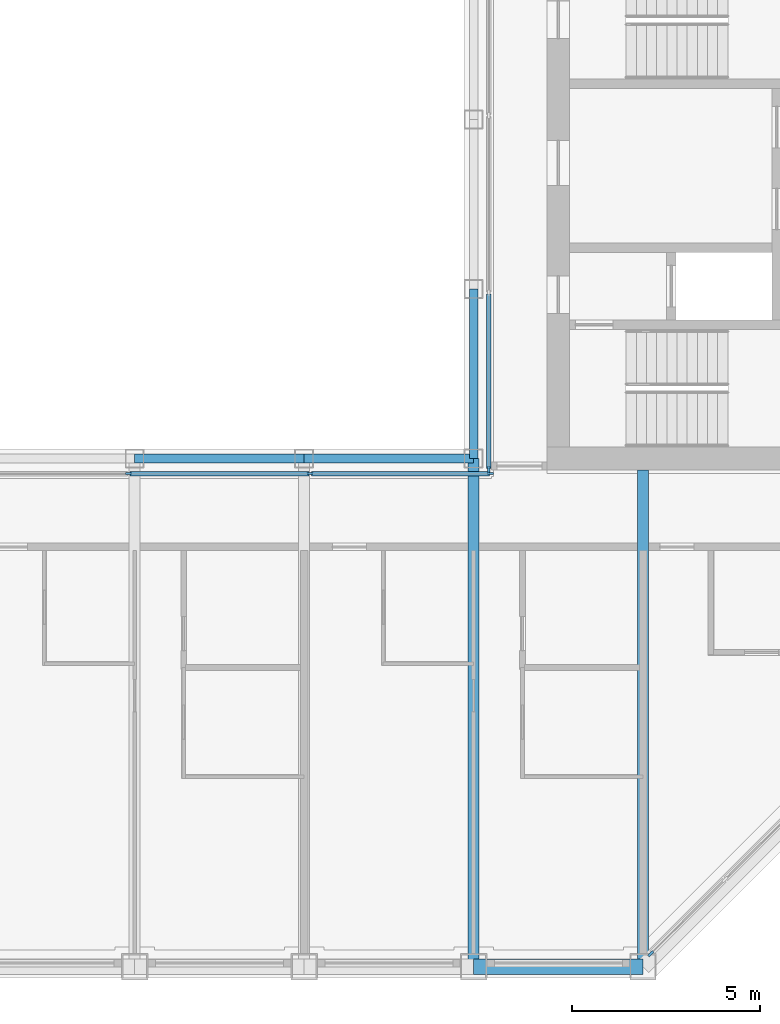
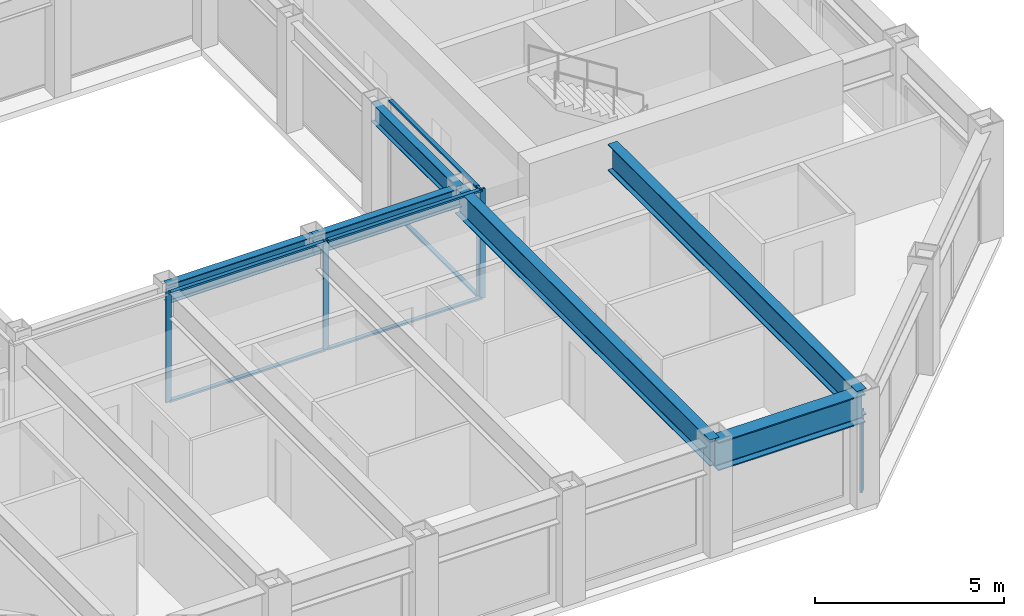
# One storey, part 3 of 18: 11 members, 6 beams, 3 elements without a shape of their own.
"""IFC4 building model written with IfcOpenShell, lengths in metres."""

from ifc_helpers import new_model, si_unit, direction, frame, origin, origin_2d, place, context, subcontext, project, spatial, rectangle, i_section, extrude, material, material_profile, profile_set, type_object, element, aggregate, save


model = new_model("IFC4")

# Units and contexts
model_context = context("Model", 3, precision=1e-05, world=origin(), true_north=direction((0.0, 1.0)))
body_context = subcontext(model_context, "Body", "Model", "MODEL_VIEW")
ifc_project = project(units=[si_unit("LENGTHUNIT", "METRE"), si_unit("AREAUNIT", "SQUARE_METRE"), si_unit("VOLUMEUNIT", "CUBIC_METRE"), si_unit("PLANEANGLEUNIT", "RADIAN"), si_unit("MASSUNIT", "GRAM", prefix="KILO")], contexts=[model_context])

# Site, building, storey
site_placement = place(None, origin())
site = spatial("IfcSite", under=ifc_project, at=site_placement, CompositionType="ELEMENT")
building_placement = place(site_placement, origin())
building = spatial("IfcBuilding", under=site, at=building_placement, Name="Msasa Ring Tower", CompositionType="ELEMENT")
storey_placement = place(building_placement, frame((0.0, 0.0, 249.550048828125)))
storey = spatial("IfcBuildingStorey", under=building, at=storey_placement, Name="L65", CompositionType="ELEMENT", Elevation=249.550048828125)

# Curtain wall, member
ifc_material_1 = material(Name="Aluminium curtain wall with clear glass", Category="aluminium")
curtain_wall_type_1 = type_object("IfcCurtainWallType", Name="CW-C CHAMFER CORNER CURTAIN WALL", PredefinedType="NOTDEFINED", material=ifc_material_1)
curtain_wall_1_placement = place(storey_placement, origin())
curtain_wall_1 = element("IfcCurtainWall", 1, at=curtain_wall_1_placement, inside=storey, type_object=curtain_wall_type_1, Name="Chamfer corner curtain wall SE L65", PredefinedType="NOTDEFINED")
ifc_material_2 = material(Name="Aluminium mullion", Category="aluminium")
ifc_material_profile_1 = material_profile(ifc_material_2, rectangle(XDim=0.06494140625, YDim=0.179931640625, at=origin_2d()), Name="AL 65x180")
ifc_profile_set_1 = profile_set([ifc_material_profile_1], Name="Aluminium mullion")
member_type_1 = type_object("IfcMemberType", Name="CW-C MULLION 65x180", PredefinedType="MULLION", material=ifc_profile_set_1)
member_1_placement = place(storey_placement, frame((11.453369140625, -19.9052734375, 0.0), z_axis=(0.0, 0.0, 1.0), x_axis=(-0.707106781187, 0.707106781187, 0.0)))
member_1 = element("IfcMember", 2, at=member_1_placement, type_object=member_type_1, Name="CW-C mullion 1", PredefinedType="MULLION", context=body_context, shape_type="SweptSolid", body=[
    extrude(rectangle(XDim=0.06494140625, YDim=0.179931640625, at=origin_2d()), origin(), (0.0, 0.0, 1.0), 2.62890625),
])
aggregate(curtain_wall_1, [member_1])

# Curtain wall, members
ifc_material_3 = material(Name="Aluminium curtain wall with clear glass", Category="aluminium")
curtain_wall_type_2 = type_object("IfcCurtainWallType", Name="CW-W LIGHT WELL CURTAIN WALL", PredefinedType="NOTDEFINED", material=ifc_material_3)
curtain_wall_2_placement = place(storey_placement, origin())
curtain_wall_2 = element("IfcCurtainWall", 3, at=curtain_wall_2_placement, inside=storey, type_object=curtain_wall_type_2, Name="Light well curtain wall S L65", PredefinedType="NOTDEFINED")
ifc_material_4 = material(Name="Aluminium mullion", Category="aluminium")
ifc_material_profile_2 = material_profile(ifc_material_4, rectangle(XDim=0.06005859375, YDim=0.159912109375, at=origin_2d()), Name="AL 60x160")
ifc_profile_set_2 = profile_set([ifc_material_profile_2], Name="Aluminium mullion")
member_type_2 = type_object("IfcMemberType", Name="CW-W MULLION 60x160", PredefinedType="MULLION", material=ifc_profile_set_2)
member_2_placement = place(storey_placement, frame((-2.409912109375, -7.14990234375, 0.0), z_axis=(0.0, 0.0, 1.0), x_axis=(0.0, 1.0, 0.0)))
member_2 = element("IfcMember", 4, at=member_2_placement, type_object=member_type_2, Name="CW-W mullion 2", PredefinedType="MULLION", context=body_context, shape_type="SweptSolid", body=[
    extrude(rectangle(XDim=0.06005859375, YDim=0.159912109375, at=origin_2d()), origin(), (0.0, 0.0, 1.0), 3.550048828125),
])
member_3_placement = place(storey_placement, frame((2.409912109375, -7.14990234375, 0.0), z_axis=(0.0, 0.0, 1.0), x_axis=(0.0, 1.0, 0.0)))
member_3 = element("IfcMember", 5, at=member_3_placement, type_object=member_type_2, Name="CW-W mullion 3", PredefinedType="MULLION", context=body_context, shape_type="SweptSolid", body=[
    extrude(rectangle(XDim=0.06005859375, YDim=0.159912109375, at=origin_2d()), origin(), (0.0, 0.0, 1.0), 3.550048828125),
])
member_4_placement = place(storey_placement, frame((7.199951171875, -7.14990234375, 0.0), z_axis=(0.0, 0.0, 1.0), x_axis=(0.0, 1.0, 0.0)))
member_4 = element("IfcMember", 6, at=member_4_placement, type_object=member_type_2, Name="CW-W mullion 4", PredefinedType="MULLION", context=body_context, shape_type="SweptSolid", body=[
    extrude(rectangle(XDim=0.06005859375, YDim=0.159912109375, at=origin_2d()), origin(), (0.0, 0.0, 1.0), 3.550048828125),
])

# Curtain wall, member
curtain_wall_3_placement = place(storey_placement, origin())
curtain_wall_3 = element("IfcCurtainWall", 7, at=curtain_wall_3_placement, inside=storey, type_object=curtain_wall_type_2, Name="Light well curtain wall E L65", PredefinedType="NOTDEFINED")
member_5_placement = place(storey_placement, frame((7.14990234375, -7.0400390625, 0.0), z_axis=(0.0, 0.0, 1.0), x_axis=(-1.0, 0.0, 0.0)))
member_5 = element("IfcMember", 8, at=member_5_placement, type_object=member_type_2, Name="CW-W mullion 1", PredefinedType="MULLION", context=body_context, shape_type="SweptSolid", body=[
    extrude(rectangle(XDim=0.06005859375, YDim=0.159912109375, at=origin_2d()), origin(), (0.0, 0.0, 1.0), 3.550048828125),
])

# Member
ifc_material_5 = material(Name="Aluminium transom", Category="aluminium")
ifc_material_profile_3 = material_profile(ifc_material_5, rectangle(XDim=0.1201171875, YDim=0.06005859375, at=origin_2d()), Name="AL 60x120")
ifc_profile_set_3 = profile_set([ifc_material_profile_3], Name="Aluminium transom")
member_type_3 = type_object("IfcMemberType", Name="CW-W TRANSOM 60x120", PredefinedType="USERDEFINED", material=ifc_profile_set_3)
member_6_placement = place(storey_placement, frame((-2.3798828125, -7.14990234375, 0.030029296875), z_axis=(1.0, 0.0, 0.0), x_axis=(0.0, 1.0, 0.0)))
member_6 = element("IfcMember", 9, at=member_6_placement, type_object=member_type_3, Name="CW-W transom 2.1", ObjectType="TRANSOM", PredefinedType="USERDEFINED", context=body_context, shape_type="SweptSolid", body=[
    extrude(rectangle(XDim=0.1201171875, YDim=0.06005859375, at=origin_2d()), origin(), (0.0, 0.0, 1.0), 4.759765625),
])

member_7_placement = place(storey_placement, frame((-2.3798828125, -7.14990234375, 3.52001953125), z_axis=(1.0, 0.0, 0.0), x_axis=(0.0, 1.0, 0.0)))
member_7 = element("IfcMember", 10, at=member_7_placement, type_object=member_type_3, Name="CW-W transom 2.2", ObjectType="TRANSOM", PredefinedType="USERDEFINED", context=body_context, shape_type="SweptSolid", body=[
    extrude(rectangle(XDim=0.1201171875, YDim=0.06005859375, at=origin_2d()), origin(), (0.0, 0.0, 1.0), 4.759765625),
])

member_8_placement = place(storey_placement, frame((2.43994140625, -7.14990234375, 0.030029296875), z_axis=(1.0, 0.0, 0.0), x_axis=(0.0, 1.0, 0.0)))
member_8 = element("IfcMember", 11, at=member_8_placement, type_object=member_type_3, Name="CW-W transom 3.1", ObjectType="TRANSOM", PredefinedType="USERDEFINED", context=body_context, shape_type="SweptSolid", body=[
    extrude(rectangle(XDim=0.1201171875, YDim=0.06005859375, at=origin_2d()), origin(), (0.0, 0.0, 1.0), 4.72998046875),
])

member_9_placement = place(storey_placement, frame((2.43994140625, -7.14990234375, 3.52001953125), z_axis=(1.0, 0.0, 0.0), x_axis=(0.0, 1.0, 0.0)))
member_9 = element("IfcMember", 12, at=member_9_placement, type_object=member_type_3, Name="CW-W transom 3.2", ObjectType="TRANSOM", PredefinedType="USERDEFINED", context=body_context, shape_type="SweptSolid", body=[
    extrude(rectangle(XDim=0.1201171875, YDim=0.06005859375, at=origin_2d()), origin(), (0.0, 0.0, 1.0), 4.72998046875),
])

aggregate(curtain_wall_2, [member_2, member_3, member_4, member_6, member_7, member_8, member_9])

member_10_placement = place(storey_placement, frame((7.14990234375, -7.010009765625, 0.030029296875), z_axis=(0.0, 1.0, 0.0), x_axis=(-1.0, 0.0, 0.0)))
member_10 = element("IfcMember", 13, at=member_10_placement, type_object=member_type_3, Name="CW-W transom 1.1", ObjectType="TRANSOM", PredefinedType="USERDEFINED", context=body_context, shape_type="SweptSolid", body=[
    extrude(rectangle(XDim=0.1201171875, YDim=0.06005859375, at=origin_2d()), origin(), (0.0, 0.0, 1.0), 4.623291015625),
])

member_11_placement = place(storey_placement, frame((7.14990234375, -7.010009765625, 3.52001953125), z_axis=(0.0, 1.0, 0.0), x_axis=(-1.0, 0.0, 0.0)))
member_11 = element("IfcMember", 14, at=member_11_placement, type_object=member_type_3, Name="CW-W transom 1.2", ObjectType="TRANSOM", PredefinedType="USERDEFINED", context=body_context, shape_type="SweptSolid", body=[
    extrude(rectangle(XDim=0.1201171875, YDim=0.06005859375, at=origin_2d()), origin(), (0.0, 0.0, 1.0), 4.623291015625),
])

aggregate(curtain_wall_3, [member_5, member_10, member_11])

# Beams
ifc_material_6 = material(Name="Steel S355", Category="steel")
ifc_material_profile_4 = material_profile(ifc_material_6, i_section(OverallWidth=0.293701171875, OverallDepth=0.850830078125, WebThickness=0.01611328125, FlangeThickness=0.02685546875, FilletRadius=0.017822265625, at=origin_2d()), Name="UB 838x292x226")
ifc_profile_set_4 = profile_set([ifc_material_profile_4], Name="Steel S355")
beam_type_1 = type_object("IfcBeamType", Name="FB5 UB 838x292x226", PredefinedType="BEAM", material=ifc_profile_set_4)
beam_1_placement = place(storey_placement, frame((6.75, -20.25, 3.12451171875), z_axis=(0.0, 1.0, 0.0), x_axis=(-1.0, 0.0, 0.0)))
element("IfcBeam", 15, at=beam_1_placement, inside=storey, type_object=beam_type_1, Name="Floor beam S+6.75 under L66", PredefinedType="BEAM", context=body_context, shape_type="SweptSolid", body=[
    extrude(i_section(OverallWidth=0.293701171875, OverallDepth=0.850830078125, WebThickness=0.01611328125, FlangeThickness=0.02685546875, FilletRadius=0.017822265625, at=origin_2d()), origin(), (0.0, 0.0, 1.0), 13.5),
])
beam_2_placement = place(storey_placement, frame((11.25, -20.25, 3.12451171875), z_axis=(0.0, 1.0, 0.0), x_axis=(-1.0, 0.0, 0.0)))
element("IfcBeam", 16, at=beam_2_placement, inside=storey, type_object=beam_type_1, Name="Floor beam S+11.25 under L66", PredefinedType="BEAM", context=body_context, shape_type="SweptSolid", body=[
    extrude(i_section(OverallWidth=0.293701171875, OverallDepth=0.850830078125, WebThickness=0.01611328125, FlangeThickness=0.02685546875, FilletRadius=0.017822265625, at=origin_2d()), origin(), (0.0, 0.0, 1.0), 13.199951171875),
])
ifc_material_7 = material(Name="Steel S355", Category="steel")
ifc_material_profile_5 = material_profile(ifc_material_7, i_section(OverallWidth=0.230224609375, OverallDepth=0.6171875, WebThickness=0.01318359375, FlangeThickness=0.022216796875, FilletRadius=0.0126953125, at=origin_2d()), Name="UB 610x229x140")
ifc_profile_set_5 = profile_set([ifc_material_profile_5], Name="Steel S355")
beam_type_2 = type_object("IfcBeamType", Name="RB1 UB 610x229x140", PredefinedType="BEAM", material=ifc_profile_set_5)
for number, where, z_axis, x_axis, name in (
    (17, (-2.25, -6.75, 3.241455078125), (1.0, 0.0, 0.0), (0.0, 1.0, 0.0), "Inner ring beam IR-2.25-6.75 under L66"),
    (18, (2.25, -6.75, 3.241455078125), (1.0, 0.0, 0.0), (0.0, 1.0, 0.0), "Inner ring beam IR+2.25-6.75 under L66"),
    (19, (6.75, -6.75, 3.241455078125), (0.0, 1.0, 0.0), (-1.0, 0.0, 0.0), "Inner ring beam IR+6.75-6.75 under L66"),
):
    element("IfcBeam", number, at=place(storey_placement, frame(where, z_axis=z_axis, x_axis=x_axis)), inside=storey, type_object=beam_type_2, Name=name, PredefinedType="BEAM", context=body_context, shape_type="SweptSolid", body=[
        extrude(i_section(OverallWidth=0.230224609375, OverallDepth=0.6171875, WebThickness=0.01318359375, FlangeThickness=0.022216796875, FilletRadius=0.0126953125, at=origin_2d()), origin(), (0.0, 0.0, 1.0), 4.5),
    ])
ifc_material_8 = material(Name="Steel S355", Category="steel")
ifc_material_profile_6 = material_profile(ifc_material_8, i_section(OverallWidth=0.42041015625, OverallDepth=0.9208984375, WebThickness=0.021484375, FlangeThickness=0.03662109375, FilletRadius=0.024169921875, at=origin_2d()), Name="UB 914x419x388")
ifc_profile_set_6 = profile_set([ifc_material_profile_6], Name="Steel S355")
beam_type_3 = type_object("IfcBeamType", Name="SB1 UB 914x419x388", PredefinedType="SPANDREL", material=ifc_profile_set_6)
beam_3_placement = place(storey_placement, frame((6.75, -20.25, 3.08935546875), z_axis=(1.0, 0.0, 0.0), x_axis=(0.0, 1.0, 0.0)))
element("IfcBeam", 20, at=beam_3_placement, inside=storey, type_object=beam_type_3, Name="Spandrel S+6.75 to S+11.25 under L66", PredefinedType="SPANDREL", context=body_context, shape_type="SweptSolid", body=[
    extrude(i_section(OverallWidth=0.42041015625, OverallDepth=0.9208984375, WebThickness=0.021484375, FlangeThickness=0.03662109375, FilletRadius=0.024169921875, at=origin_2d()), origin(), (0.0, 0.0, 1.0), 4.5),
])

save(model, "model.ifc")
